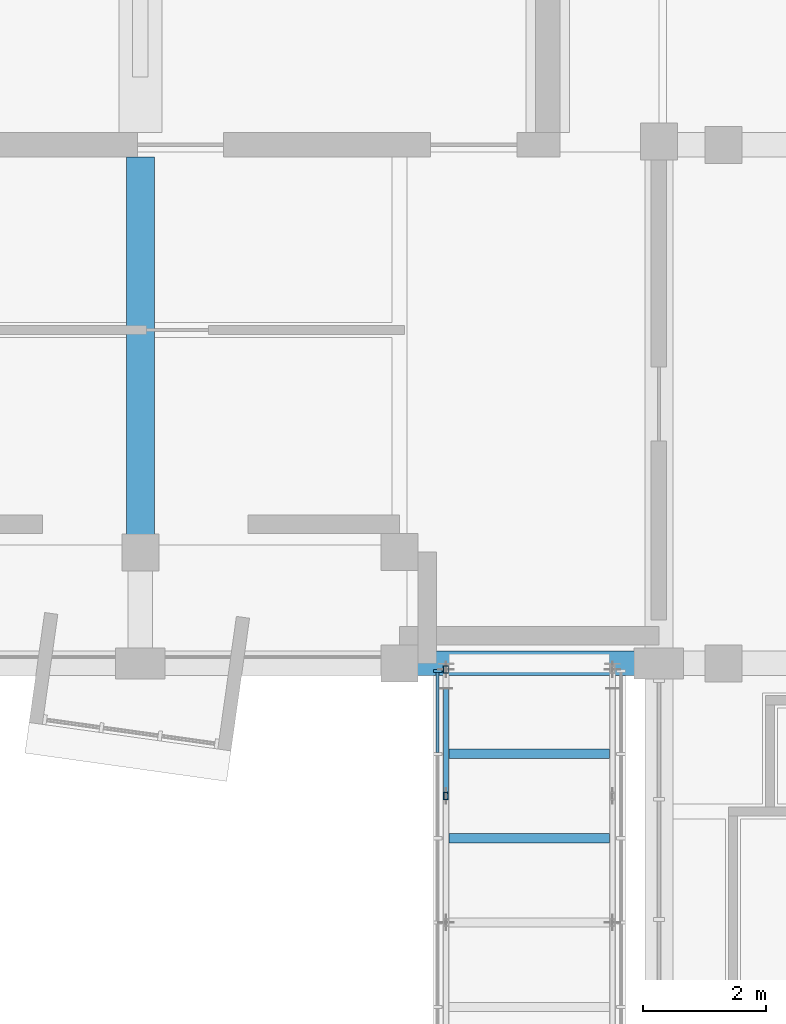
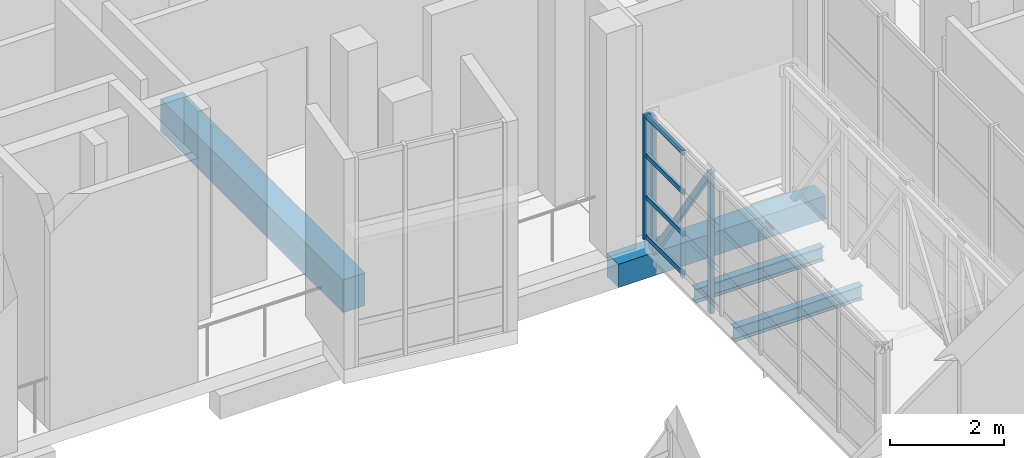
# One storey, part 11 of 86: 8 members, 4 beams, 1 element without a shape of its own.
"""IFC4 building model written with IfcOpenShell, lengths in metres."""

from ifc_helpers import new_model, si_unit, direction, frame, origin, origin_2d, place, context, subcontext, project, spatial, rectangle, hollow_rectangle, i_section, extrude, material, layer, layer_set, material_profile, profile_set, type_object, element, aggregate, save


model = new_model("IFC4")

# Units and contexts
model_context = context("Model", 3, precision=1e-05, world=origin(), true_north=direction((0.0, 1.0)))
body_context = subcontext(model_context, "Body", "Model", "MODEL_VIEW")
ifc_project = project(units=[si_unit("LENGTHUNIT", "METRE"), si_unit("AREAUNIT", "SQUARE_METRE"), si_unit("VOLUMEUNIT", "CUBIC_METRE"), si_unit("PLANEANGLEUNIT", "RADIAN"), si_unit("MASSUNIT", "GRAM", prefix="KILO")], contexts=[model_context])

# Site, building, storey
site_placement = place(None, origin())
site = spatial("IfcSite", under=ifc_project, at=site_placement, CompositionType="ELEMENT")
building_placement = place(site_placement, origin())
building = spatial("IfcBuilding", under=site, at=building_placement, Name="Kiln Court Media Centre", CompositionType="ELEMENT")
storey_placement = place(building_placement, frame((0.0, 0.0, 10.199951171875)))
storey = spatial("IfcBuildingStorey", under=building, at=storey_placement, Name="L02", CompositionType="ELEMENT", Elevation=10.199951171875)

# Curtain wall, members
ifc_material_1 = material(Name="Aluminium 6063-T6", Category="aluminium")
ifc_layer = layer(ifc_material_1, 0.1201171875)
ifc_layer_set = layer_set([ifc_layer], Name="Aluminium unitised curtain wall, bridge")
curtain_wall_type = type_object("IfcCurtainWallType", Name="Aluminium unitised curtain wall, bridge", PredefinedType="USERDEFINED", material=ifc_layer_set)
curtain_wall_placement = place(storey_placement, origin())
curtain_wall = element("IfcCurtainWall", 1, at=curtain_wall_placement, inside=storey, type_object=curtain_wall_type, Name="BR-1 side glazing", ObjectType="UNITISED CURTAIN WALL", PredefinedType="USERDEFINED")
ifc_material_2 = material(Name="Aluminium 6063-T6", Category="aluminium")
ifc_material_profile_1 = material_profile(ifc_material_2, rectangle(XDim=0.050048828125, YDim=0.139892578125, at=origin_2d()), Name="Aluminium hall mullion 50x140")
ifc_profile_set_1 = profile_set([ifc_material_profile_1], Name="Aluminium 6063-T6")
member_type_1 = type_object("IfcMemberType", Name="Aluminium hall mullion 50x140", PredefinedType="MULLION", material=ifc_profile_set_1)
member_1_placement = place(storey_placement, frame((30.014892578125, 33.47509765625, 0.0), z_axis=(0.0, 0.0, 1.0), x_axis=(0.0, 1.0, 0.0)))
member_1 = element("IfcMember", 2, at=member_1_placement, type_object=member_type_1, Name="CW2-63 mullion 7", PredefinedType="MULLION", context=body_context, shape_type="SweptSolid", body=[
    extrude(rectangle(XDim=0.050048828125, YDim=0.139892578125, at=origin_2d()), origin(), (0.0, 0.0, 1.0), 2.675048828125),
])
ifc_material_3 = material(Name="Aluminium 6063-T6", Category="aluminium")
ifc_material_profile_2 = material_profile(ifc_material_3, rectangle(XDim=0.050048828125, YDim=0.10009765625, at=origin_2d()), Name="Aluminium hall transom 50x100")
ifc_profile_set_2 = profile_set([ifc_material_profile_2], Name="Aluminium 6063-T6")
member_type_2 = type_object("IfcMemberType", Name="Aluminium hall transom 50x100", PredefinedType="USERDEFINED", material=ifc_profile_set_2)
member_2_placement = place(storey_placement, frame((30.014892578125, 32.158447265625, 0.050048828125), z_axis=(0.0, 1.0, 0.0), x_axis=(-1.0, 0.0, 0.0)))
member_2 = element("IfcMember", 3, at=member_2_placement, type_object=member_type_2, Name="CW2-63 transom 6.1", ObjectType="TRANSOM", PredefinedType="USERDEFINED", context=body_context, shape_type="SweptSolid", body=[
    extrude(rectangle(XDim=0.050048828125, YDim=0.10009765625, at=origin_2d()), origin(), (0.0, 0.0, 1.0), 1.29150390625),
])
member_3_placement = place(storey_placement, frame((30.014892578125, 32.158447265625, 0.891845703125), z_axis=(0.0, 1.0, 0.0), x_axis=(-1.0, 0.0, 0.0)))
member_3 = element("IfcMember", 4, at=member_3_placement, type_object=member_type_2, Name="CW2-63 transom 6.2", ObjectType="TRANSOM", PredefinedType="USERDEFINED", context=body_context, shape_type="SweptSolid", body=[
    extrude(rectangle(XDim=0.050048828125, YDim=0.10009765625, at=origin_2d()), origin(), (0.0, 0.0, 1.0), 1.29150390625),
])
member_4_placement = place(storey_placement, frame((30.014892578125, 32.158447265625, 1.783447265625), z_axis=(0.0, 1.0, 0.0), x_axis=(-1.0, 0.0, 0.0)))
member_4 = element("IfcMember", 5, at=member_4_placement, type_object=member_type_2, Name="CW2-63 transom 6.3", ObjectType="TRANSOM", PredefinedType="USERDEFINED", context=body_context, shape_type="SweptSolid", body=[
    extrude(rectangle(XDim=0.050048828125, YDim=0.10009765625, at=origin_2d()), origin(), (0.0, 0.0, 1.0), 1.29150390625),
])
member_5_placement = place(storey_placement, frame((30.014892578125, 32.158447265625, 2.625), z_axis=(0.0, 1.0, 0.0), x_axis=(-1.0, 0.0, 0.0)))
member_5 = element("IfcMember", 6, at=member_5_placement, type_object=member_type_2, Name="CW2-63 transom 6.4", ObjectType="TRANSOM", PredefinedType="USERDEFINED", context=body_context, shape_type="SweptSolid", body=[
    extrude(rectangle(XDim=0.050048828125, YDim=0.10009765625, at=origin_2d()), origin(), (0.0, 0.0, 1.0), 1.29150390625),
])
aggregate(curtain_wall, [member_1, member_2, member_3, member_4, member_5])

# Beams
ifc_material_4 = material(Name="Concrete C30/37", Category="concrete")
ifc_material_profile_3 = material_profile(ifc_material_4, rectangle(XDim=0.39990234375, YDim=0.5, at=origin_2d()), Name="RC 400x500")
ifc_profile_set_3 = profile_set([ifc_material_profile_3], Name="Concrete C30/37")
beam_type_1 = type_object("IfcBeamType", Name="Concrete C30/37 beam 400x500", PredefinedType="BEAM", material=ifc_profile_set_3)
beam_1_placement = place(storey_placement, frame((29.39892578125, 33.60009765625, -0.550048828125), z_axis=(1.0, 0.0, 0.0), x_axis=(0.0, 1.0, 0.0)))
element("IfcBeam", 7, at=beam_1_placement, inside=storey, type_object=beam_type_1, Name="L02-B-1070", PredefinedType="BEAM", context=body_context, shape_type="SweptSolid", body=[
    extrude(rectangle(XDim=0.39990234375, YDim=0.5, at=origin_2d()), origin(), (0.0, 0.0, 1.0), 4.201171875),
])
ifc_material_5 = material(Name="Concrete C30/37", Category="concrete")
ifc_material_profile_4 = material_profile(ifc_material_5, rectangle(XDim=0.449951171875, YDim=0.699951171875, at=origin_2d()), Name="RC 450x700")
ifc_profile_set_4 = profile_set([ifc_material_profile_4], Name="Concrete C30/37")
beam_type_2 = type_object("IfcBeamType", Name="Concrete C30/37 beam 450x700", PredefinedType="BEAM", material=ifc_profile_set_4)
beam_2_placement = place(storey_placement, frame((25.199951171875, 35.39892578125, -0.64990234375), z_axis=(0.0, 1.0, 0.0), x_axis=(-1.0, 0.0, 0.0)))
element("IfcBeam", 8, at=beam_2_placement, inside=storey, type_object=beam_type_2, Name="L02-B-1059", PredefinedType="BEAM", context=body_context, shape_type="SweptSolid", body=[
    extrude(rectangle(XDim=0.449951171875, YDim=0.699951171875, at=origin_2d()), origin(), (0.0, 0.0, 1.0), 6.401123046875),
])

# Members
ifc_material_6 = material(Name="Steel ASTM A500 Gr C", Category="steel")
ifc_material_profile_5 = material_profile(ifc_material_6, hollow_rectangle(XDim=0.080078125, YDim=0.1201171875, WallThickness=0.00634765625, at=origin_2d()), Name="RHS 120x80x6.3")
ifc_profile_set_5 = profile_set([ifc_material_profile_5], Name="Steel ASTM A500 Gr C")
member_type_3 = type_object("IfcMemberType", Name="Steel ASTM A500 Gr C RHS 120x80x6.3 bridge truss web", PredefinedType="BRACE", material=ifc_profile_set_5)
for number, where, z_axis, x_axis, name in (
    (9, (30.14990234375, 31.449951171875, -0.39990234375), (0.0, 0.0, 1.0), (1.0, 0.0, 0.0), "bridge BR-1 side truss 1 post 4 bridge truss web"),
    (10, (30.14990234375, 33.5, -0.39990234375), (0.0, 0.0, 1.0), (1.0, 0.0, 0.0), "bridge BR-1 side truss 1 post 5 bridge truss web"),
):
    element("IfcMember", number, at=place(storey_placement, frame(where, z_axis=z_axis, x_axis=x_axis)), inside=storey, type_object=member_type_3, Name=name, PredefinedType="BRACE", context=body_context, shape_type="SweptSolid", body=[
        extrude(hollow_rectangle(XDim=0.080078125, YDim=0.1201171875, WallThickness=0.00634765625, at=origin_2d()), origin(), (0.0, 0.0, 1.0), 3.0),
    ])
member_6_placement = place(storey_placement, frame((30.14990234375, 31.449951171875, 2.60009765625), z_axis=(0.0, 0.564199665614, -0.825638381691), x_axis=(-1.0, 0.0, 0.0)))
element("IfcMember", 11, at=member_6_placement, inside=storey, type_object=member_type_3, Name="bridge BR-1 side truss 1 diagonal 4 bridge truss web", PredefinedType="BRACE", context=body_context, shape_type="SweptSolid", body=[
    extrude(hollow_rectangle(XDim=0.080078125, YDim=0.1201171875, WallThickness=0.00634765625, at=origin_2d()), origin(), (0.0, 0.0, 1.0), 3.633544921875),
])

# Beams
ifc_material_7 = material(Name="Steel ASTM A572 Gr 50", Category="steel")
ifc_material_profile_6 = material_profile(ifc_material_7, i_section(OverallWidth=0.14990234375, OverallDepth=0.300048828125, WebThickness=0.007080078125, FlangeThickness=0.0107421875, FilletRadius=0.014892578125, at=origin_2d()), Name="IPE 300")
ifc_profile_set_6 = profile_set([ifc_material_profile_6], Name="Steel ASTM A572 Gr 50")
beam_type_3 = type_object("IfcBeamType", Name="Steel ASTM A572 Gr 50 IPE 300 bridge floor beam", PredefinedType="BEAM", material=ifc_profile_set_6)
for number, where, z_axis, x_axis, name in (
    (12, (30.199951171875, 30.7666015625, -0.449951171875), (1.0, 0.0, 0.0), (0.0, 1.0, 0.0), "bridge BR-1 floor beam 4 bridge floor beam"),
    (13, (30.199951171875, 32.13330078125, -0.449951171875), (1.0, 0.0, 0.0), (0.0, 1.0, 0.0), "bridge BR-1 floor beam 5 bridge floor beam"),
):
    element("IfcBeam", number, at=place(storey_placement, frame(where, z_axis=z_axis, x_axis=x_axis)), inside=storey, type_object=beam_type_3, Name=name, PredefinedType="BEAM", context=body_context, shape_type="SweptSolid", body=[
        extrude(i_section(OverallWidth=0.14990234375, OverallDepth=0.300048828125, WebThickness=0.007080078125, FlangeThickness=0.0107421875, FilletRadius=0.014892578125, at=origin_2d()), origin(), (0.0, 0.0, 1.0), 2.60009765625),
    ])

save(model, "model.ifc")
